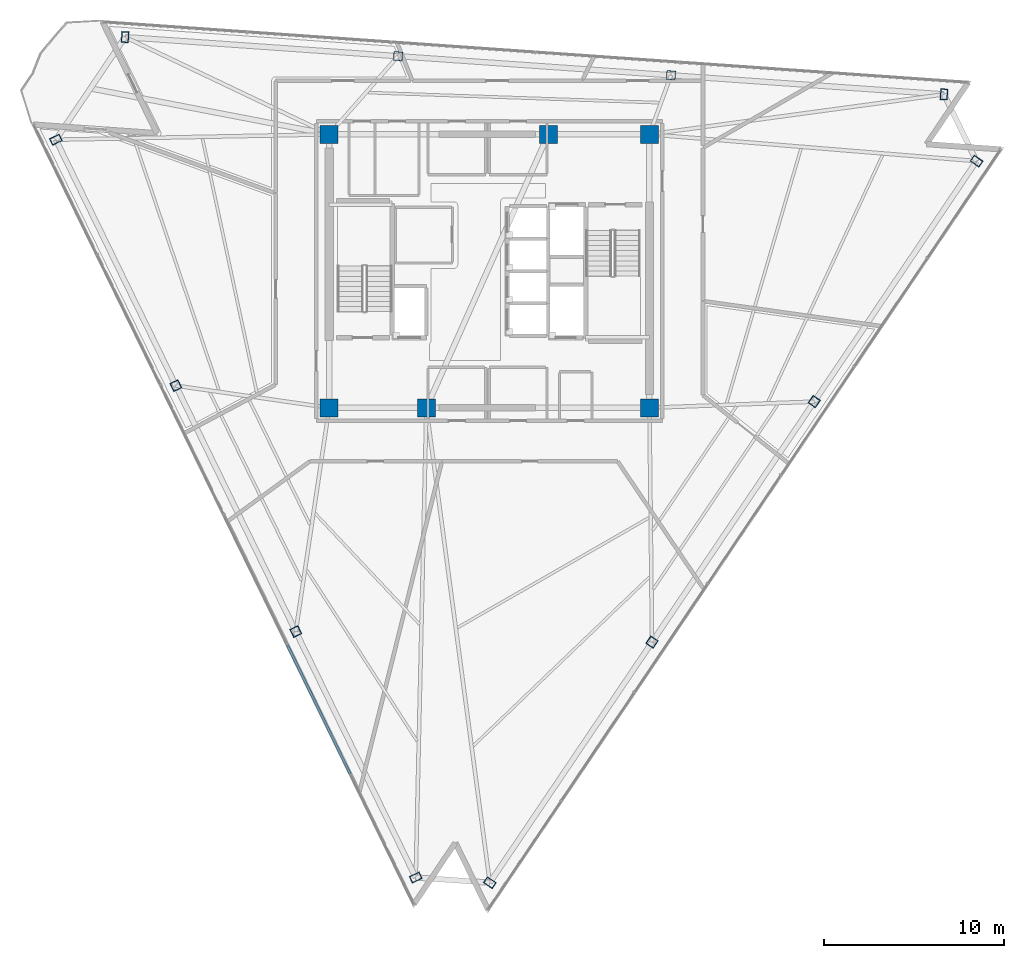
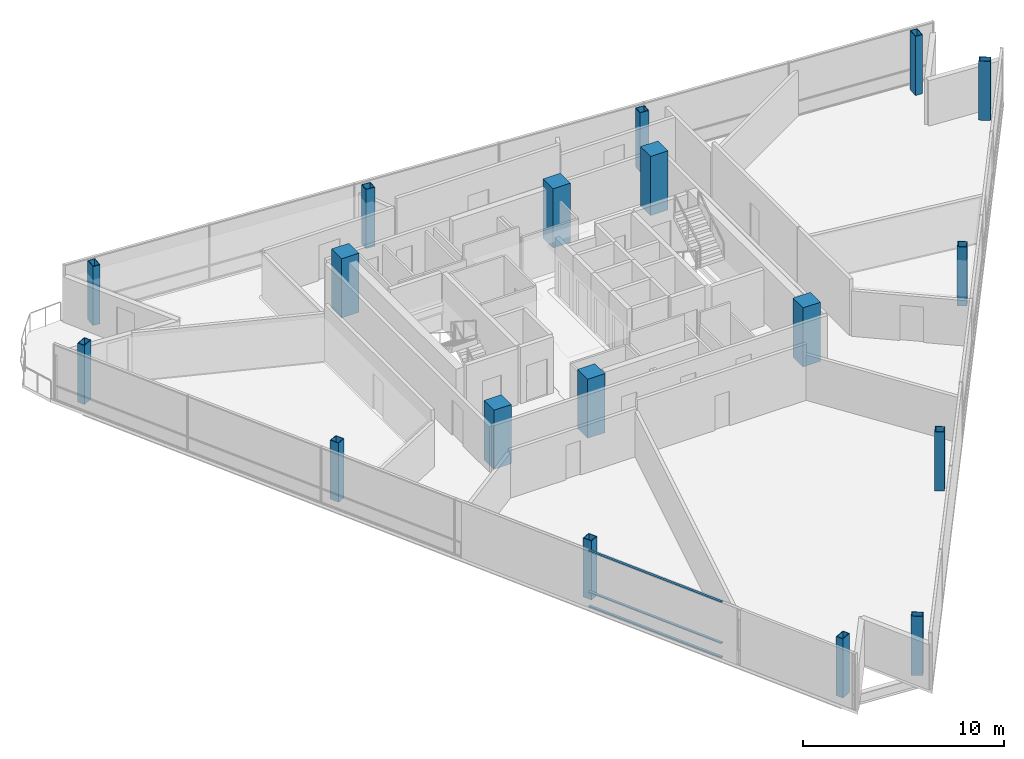
# One storey, part 1 of 13: 18 columns, 3 members, 1 element without a shape of its own.
"""IFC4 building model written with IfcOpenShell, lengths in metres."""

from ifc_helpers import new_model, si_unit, direction, frame, origin, origin_2d, place, context, subcontext, project, spatial, rectangle, hollow_rectangle, extrude, material, layer, layer_set, material_profile, profile_set, type_object, element, aggregate, save


model = new_model("IFC4")

# Units and contexts
model_context = context("Model", 3, precision=1e-05, world=origin(), true_north=direction((0.0, 1.0)))
body_context = subcontext(model_context, "Body", "Model", "MODEL_VIEW")
ifc_project = project(units=[si_unit("LENGTHUNIT", "METRE"), si_unit("AREAUNIT", "SQUARE_METRE"), si_unit("VOLUMEUNIT", "CUBIC_METRE"), si_unit("PLANEANGLEUNIT", "RADIAN"), si_unit("MASSUNIT", "GRAM", prefix="KILO")], contexts=[model_context])

# Site, building, storey
site_placement = place(None, origin())
site = spatial("IfcSite", under=ifc_project, at=site_placement, CompositionType="ELEMENT")
building_placement = place(site_placement, origin())
building = spatial("IfcBuilding", under=site, at=building_placement, Name="Tharavind Bronze Gate", CompositionType="ELEMENT")
storey_placement = place(building_placement, frame((0.0, 0.0, 234.25)))
storey = spatial("IfcBuildingStorey", under=building, at=storey_placement, Name="L60", CompositionType="ELEMENT", Elevation=234.25)

# Columns
ifc_material_1 = material(Name="Steel S460", Category="steel")
ifc_material_profile_1 = material_profile(ifc_material_1, hollow_rectangle(XDim=0.39990234375, YDim=0.60009765625, WallThickness=0.030029296875, at=origin_2d()), Name="RHS600X400X30")
ifc_profile_set_1 = profile_set([ifc_material_profile_1], Name="Steel S460")
column_type_1 = type_object("IfcColumnType", Name="CORNER NOTCH COLUMN RHS600X400", PredefinedType="COLUMN", material=ifc_profile_set_1)
for number, where, z_axis, x_axis, name in (
    (1, (-24.093505859375, 7.302001953125, 0.0), (0.0, 0.0, 1.0), (-0.438371146789, 0.898794046299, 0.0), "L60 perimeter column S1C1"),
    (2, (-4.090576171875, -33.710205078125, 0.0), (0.0, 0.0, 1.0), (-0.438371146789, 0.898794046299, 0.0), "L60 perimeter column S1C4"),
    (3, (0.02734375, -33.998046875, 0.0), (0.0, 0.0, 1.0), (0.559194350413, 0.829036596578, 0.0), "L60 perimeter column S2C1"),
    (4, (27.082275390625, 6.112548828125, 0.0), (0.0, 0.0, 1.0), (0.559194350413, 0.829036596578, 0.0), "L60 perimeter column S2C4"),
    (5, (25.272705078125, 9.82275390625, 0.0), (0.0, 0.0, 1.0), (-0.99756405026, 0.069756473744, 0.0), "L60 perimeter column S3C1"),
    (6, (-20.246337890625, 13.005615234375, 0.0), (0.0, 0.0, 1.0), (-0.99756405026, 0.069756473744, 0.0), "L60 perimeter column S3C4"),
):
    element("IfcColumn", number, at=place(storey_placement, frame(where, z_axis=z_axis, x_axis=x_axis)), inside=storey, type_object=column_type_1, Name=name, PredefinedType="COLUMN", context=body_context, shape_type="SweptSolid", body=[
        extrude(hollow_rectangle(XDim=0.39990234375, YDim=0.60009765625, WallThickness=0.030029296875, at=origin_2d()), origin(), (0.0, 0.0, 1.0), 3.60009765625),
    ])
ifc_material_2 = material(Name="Concrete C50/60", Category="concrete")
ifc_material_profile_2 = material_profile(ifc_material_2, rectangle(XDim=1.0, YDim=1.0, at=origin_2d()), Name="RCCOL1000")
ifc_profile_set_2 = profile_set([ifc_material_profile_2], Name="Concrete C50/60")
column_type_2 = type_object("IfcColumnType", Name="MEGA CORE COLUMN 1000", PredefinedType="COLUMN", material=ifc_profile_set_2)
for number, where, z_axis, x_axis, name in (
    (7, (-8.89990234375, -7.60009765625, 0.0), (0.0, 0.0, 1.0), (1.0, 0.0, 0.0), "L60 core mega column MC1"),
    (8, (-3.5, -7.60009765625, 0.0), (0.0, 0.0, 1.0), (1.0, 0.0, 0.0), "L60 core mega column MC2"),
    (9, (8.89990234375, -7.60009765625, 0.0), (0.0, 0.0, 1.0), (1.0, 0.0, 0.0), "L60 core mega column MC3"),
    (10, (8.89990234375, 7.60009765625, 0.0), (0.0, 0.0, 1.0), (1.0, 0.0, 0.0), "L60 core mega column MC4"),
    (11, (3.280029296875, 7.60009765625, 0.0), (0.0, 0.0, 1.0), (1.0, 0.0, 0.0), "L60 core mega column MC5"),
    (12, (-8.89990234375, 7.60009765625, 0.0), (0.0, 0.0, 1.0), (1.0, 0.0, 0.0), "L60 core mega column MC6"),
):
    element("IfcColumn", number, at=place(storey_placement, frame(where, z_axis=z_axis, x_axis=x_axis)), inside=storey, type_object=column_type_2, Name=name, PredefinedType="COLUMN", context=body_context, shape_type="SweptSolid", body=[
        extrude(rectangle(XDim=1.0, YDim=1.0, at=origin_2d()), origin(), (0.0, 0.0, 1.0), 3.60009765625),
    ])
ifc_material_profile_3 = material_profile(ifc_material_1, hollow_rectangle(XDim=0.5, YDim=0.5, WallThickness=0.031982421875, at=origin_2d()), Name="SHS500X32")
ifc_profile_set_3 = profile_set([ifc_material_profile_3], Name="Steel S460")
column_type_3 = type_object("IfcColumnType", Name="PERIMETER BOX COLUMN SHS500", PredefinedType="COLUMN", material=ifc_profile_set_3)
for number, where, z_axis, x_axis, name in (
    (13, (-17.42578125, -6.368896484375, 0.0), (0.0, 0.0, 1.0), (-0.438371146789, 0.898794046299, 0.0), "L60 perimeter column S1C2"),
    (14, (-10.75830078125, -20.039306640625, 0.0), (0.0, 0.0, 1.0), (-0.438371146789, 0.898794046299, 0.0), "L60 perimeter column S1C3"),
    (15, (9.045654296875, -20.627685546875, 0.0), (0.0, 0.0, 1.0), (0.559194350413, 0.829036596578, 0.0), "L60 perimeter column S2C2"),
    (16, (18.06396484375, -7.2578125, 0.0), (0.0, 0.0, 1.0), (0.559194350413, 0.829036596578, 0.0), "L60 perimeter column S2C3"),
    (17, (10.099609375, 10.8837890625, 0.0), (0.0, 0.0, 1.0), (-0.99756405026, 0.069756473744, 0.0), "L60 perimeter column S3C2"),
    (18, (-5.0732421875, 11.944580078125, 0.0), (0.0, 0.0, 1.0), (-0.99756405026, 0.069756473744, 0.0), "L60 perimeter column S3C3"),
):
    element("IfcColumn", number, at=place(storey_placement, frame(where, z_axis=z_axis, x_axis=x_axis)), inside=storey, type_object=column_type_3, Name=name, PredefinedType="COLUMN", context=body_context, shape_type="SweptSolid", body=[
        extrude(hollow_rectangle(XDim=0.5, YDim=0.5, WallThickness=0.031982421875, at=origin_2d()), origin(), (0.0, 0.0, 1.0), 3.60009765625),
    ])

# Curtain wall, members
ifc_material_3 = material(Name="Anodised Bronze Aluminium", Category="aluminium")
ifc_layer = layer(ifc_material_3, 0.219970703125)
ifc_layer_set = layer_set([ifc_layer], Name="Anodised Bronze Aluminium")
curtain_wall_type = type_object("IfcCurtainWallType", Name="UNITISED CURTAIN WALL UPPER OFFICE", PredefinedType="USERDEFINED", material=ifc_layer_set)
curtain_wall_placement = place(storey_placement, origin())
curtain_wall = element("IfcCurtainWall", 19, at=curtain_wall_placement, inside=storey, type_object=curtain_wall_type, Name="L60 unitised curtain wall upper office CW-L60-S1", ObjectType="UNITISED CURTAIN WALL", PredefinedType="USERDEFINED")
member_type = type_object("IfcMemberType", Name="CURTAIN WALL BRONZE TRANSOM 65X140", PredefinedType="USERDEFINED", material=ifc_material_3)
member_1_placement = place(storey_placement, frame((-9.480712890625, -24.36962890625, 0.0), z_axis=(0.0, 0.0, 1.0), x_axis=(0.438371146789, -0.898794046299, 0.0)))
member_1 = element("IfcMember", 20, at=member_1_placement, type_object=member_type, Name="CW-L60-S1 transom TB5", ObjectType="TRANSOM", PredefinedType="USERDEFINED", context=body_context, shape_type="SweptSolid", body=[
    extrude(rectangle(XDim=7.985107421875, YDim=0.139892578125, at=origin_2d()), origin(), (0.0, 0.0, 1.0), 0.06494140625),
])
member_2_placement = place(storey_placement, frame((-9.480712890625, -24.36962890625, 0.867431640625), z_axis=(0.0, 0.0, 1.0), x_axis=(0.438371146789, -0.898794046299, 0.0)))
member_2 = element("IfcMember", 21, at=member_2_placement, type_object=member_type, Name="CW-L60-S1 transom TS5", ObjectType="TRANSOM", PredefinedType="USERDEFINED", context=body_context, shape_type="SweptSolid", body=[
    extrude(rectangle(XDim=7.985107421875, YDim=0.139892578125, at=origin_2d()), origin(), (0.0, 0.0, 1.0), 0.06494140625),
])
member_3_placement = place(storey_placement, frame((-9.480712890625, -24.36962890625, 3.35498046875), z_axis=(0.0, 0.0, 1.0), x_axis=(0.438371146789, -0.898794046299, 0.0)))
member_3 = element("IfcMember", 22, at=member_3_placement, type_object=member_type, Name="CW-L60-S1 transom TT5", ObjectType="TRANSOM", PredefinedType="USERDEFINED", context=body_context, shape_type="SweptSolid", body=[
    extrude(rectangle(XDim=7.985107421875, YDim=0.139892578125, at=origin_2d()), origin(), (0.0, 0.0, 1.0), 0.06494140625),
])
aggregate(curtain_wall, [member_1, member_2, member_3])

save(model, "model.ifc")
